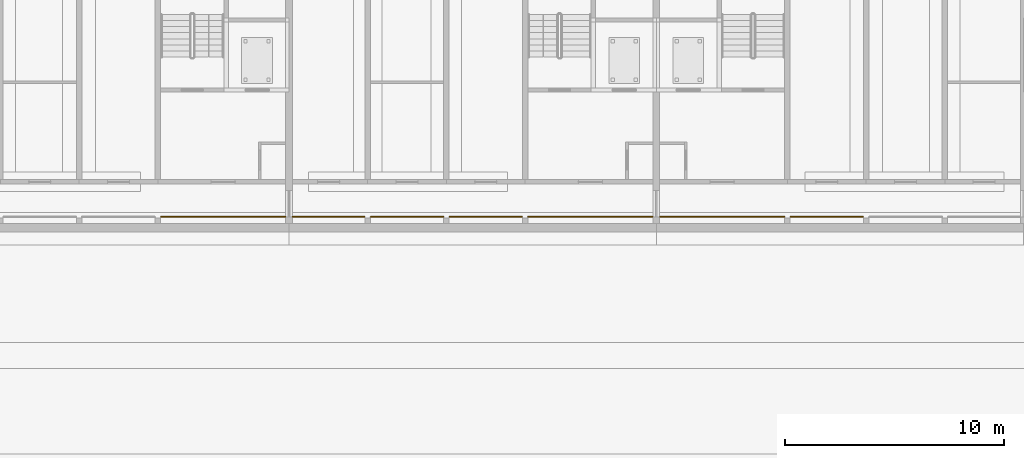
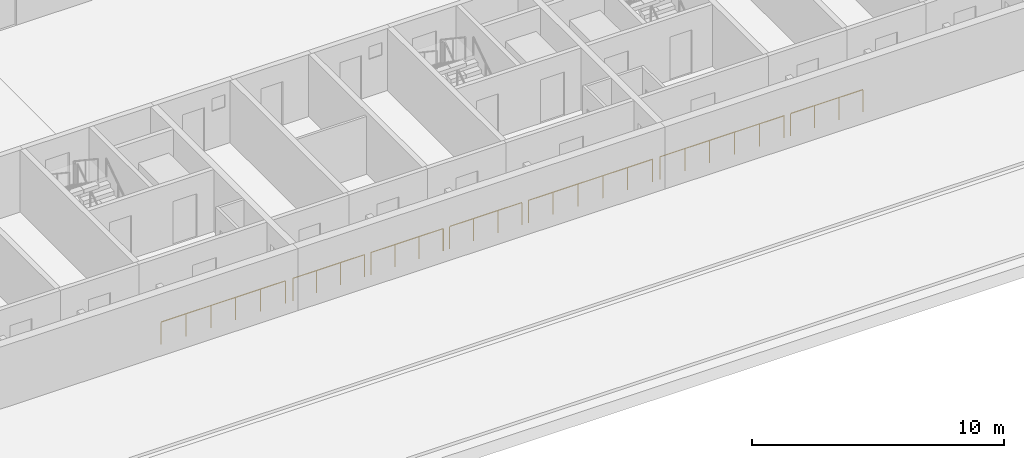
# One storey, part 101 of 112: 7 railings.
"""IFC4 building model written with IfcOpenShell, lengths in metres."""

from ifc_helpers import new_model, si_unit, direction, frame, origin, origin_2d, place, context, subcontext, project, spatial, circle, extrude, material, type_object, element, save


model = new_model("IFC4")

# Units and contexts
model_context = context("Model", 3, precision=1e-05, world=origin(), true_north=direction((0.0, 1.0)))
body_context = subcontext(model_context, "Body", "Model", "MODEL_VIEW")
ifc_project = project(units=[si_unit("LENGTHUNIT", "METRE"), si_unit("AREAUNIT", "SQUARE_METRE"), si_unit("VOLUMEUNIT", "CUBIC_METRE"), si_unit("PLANEANGLEUNIT", "RADIAN"), si_unit("MASSUNIT", "GRAM", prefix="KILO")], contexts=[model_context])

# Site, building, storey
site_placement = place(None, origin())
site = spatial("IfcSite", under=ifc_project, at=site_placement, CompositionType="ELEMENT")
building_placement = place(site_placement, origin())
building = spatial("IfcBuilding", under=site, at=building_placement, Name="Ridgestep Commons", CompositionType="ELEMENT")
storey_placement = place(building_placement, origin())
storey = spatial("IfcBuildingStorey", under=building, at=storey_placement, Name="L00", CompositionType="ELEMENT", Elevation=0.0)

# Railings
ifc_material = material(Name="Structural steel S355JR galvanised", Category="steel")
railing_type = type_object("IfcRailingType", Name="Passage guard 1100", PredefinedType="GUARDRAIL", material=ifc_material)
railing_1_placement = place(storey_placement, frame((191.345947265625, 12.050048828125, 0.0)))
element("IfcRailing", 1, at=railing_1_placement, inside=storey, type_object=railing_type, Name="Passage guard D 00.12", PredefinedType="GUARDRAIL", context=body_context, shape_type="SweptSolid", body=[
    extrude(circle(Radius=0.02392578125, at=origin_2d()), frame((0.0, 0.0, 1.076171875), z_axis=(1.0, 0.0, 0.0), x_axis=(0.0, 1.0, 0.0)), (0.0, 0.0, 1.0), 5.68310546875),
    extrude(circle(Radius=0.02099609375, at=origin_2d()), origin(), (0.0, 0.0, 1.0), 1.052001953125),
    extrude(circle(Radius=0.02099609375, at=origin_2d()), frame((1.13671875, 0.0, 0.0)), (0.0, 0.0, 1.0), 1.052001953125),
    extrude(circle(Radius=0.02099609375, at=origin_2d()), frame((2.273193359375, 0.0, 0.0)), (0.0, 0.0, 1.0), 1.052001953125),
    extrude(circle(Radius=0.02099609375, at=origin_2d()), frame((3.409912109375, 0.0, 0.0)), (0.0, 0.0, 1.0), 1.052001953125),
    extrude(circle(Radius=0.02099609375, at=origin_2d()), frame((4.54638671875, 0.0, 0.0)), (0.0, 0.0, 1.0), 1.052001953125),
    extrude(circle(Radius=0.02099609375, at=origin_2d()), frame((5.68310546875, 0.0, 0.0)), (0.0, 0.0, 1.0), 1.052001953125),
])
railing_2_placement = place(storey_placement, frame((197.37109375, 12.050048828125, 0.0)))
element("IfcRailing", 2, at=railing_2_placement, inside=storey, type_object=railing_type, Name="Passage guard D 00.13", PredefinedType="GUARDRAIL", context=body_context, shape_type="SweptSolid", body=[
    extrude(circle(Radius=0.02392578125, at=origin_2d()), frame((0.0, 0.0, 1.076171875), z_axis=(1.0, 0.0, 0.0), x_axis=(0.0, 1.0, 0.0)), (0.0, 0.0, 1.0), 3.282958984375),
    extrude(circle(Radius=0.02099609375, at=origin_2d()), origin(), (0.0, 0.0, 1.0), 1.052001953125),
    extrude(circle(Radius=0.02099609375, at=origin_2d()), frame((1.09423828125, 0.0, 0.0)), (0.0, 0.0, 1.0), 1.052001953125),
    extrude(circle(Radius=0.02099609375, at=origin_2d()), frame((2.188720703125, 0.0, 0.0)), (0.0, 0.0, 1.0), 1.052001953125),
    extrude(circle(Radius=0.02099609375, at=origin_2d()), frame((3.282958984375, 0.0, 0.0)), (0.0, 0.0, 1.0), 1.052001953125),
])
railing_3_placement = place(storey_placement, frame((200.946044921875, 12.050048828125, 0.0)))
element("IfcRailing", 3, at=railing_3_placement, inside=storey, type_object=railing_type, Name="Passage guard D 00.14", PredefinedType="GUARDRAIL", context=body_context, shape_type="SweptSolid", body=[
    extrude(circle(Radius=0.02392578125, at=origin_2d()), frame((0.0, 0.0, 1.076171875), z_axis=(1.0, 0.0, 0.0), x_axis=(0.0, 1.0, 0.0)), (0.0, 0.0, 1.0), 3.307861328125),
    extrude(circle(Radius=0.02099609375, at=origin_2d()), origin(), (0.0, 0.0, 1.0), 1.052001953125),
    extrude(circle(Radius=0.02099609375, at=origin_2d()), frame((1.1025390625, 0.0, 0.0)), (0.0, 0.0, 1.0), 1.052001953125),
    extrude(circle(Radius=0.02099609375, at=origin_2d()), frame((2.205322265625, 0.0, 0.0)), (0.0, 0.0, 1.0), 1.052001953125),
    extrude(circle(Radius=0.02099609375, at=origin_2d()), frame((3.307861328125, 0.0, 0.0)), (0.0, 0.0, 1.0), 1.052001953125),
])
railing_4_placement = place(storey_placement, frame((204.5458984375, 12.050048828125, 0.0)))
element("IfcRailing", 4, at=railing_4_placement, inside=storey, type_object=railing_type, Name="Passage guard D 00.15", PredefinedType="GUARDRAIL", context=body_context, shape_type="SweptSolid", body=[
    extrude(circle(Radius=0.02392578125, at=origin_2d()), frame((0.0, 0.0, 1.076171875), z_axis=(1.0, 0.0, 0.0), x_axis=(0.0, 1.0, 0.0)), (0.0, 0.0, 1.0), 3.30810546875),
    extrude(circle(Radius=0.02099609375, at=origin_2d()), origin(), (0.0, 0.0, 1.0), 1.052001953125),
    extrude(circle(Radius=0.02099609375, at=origin_2d()), frame((1.102783203125, 0.0, 0.0)), (0.0, 0.0, 1.0), 1.052001953125),
    extrude(circle(Radius=0.02099609375, at=origin_2d()), frame((2.205322265625, 0.0, 0.0)), (0.0, 0.0, 1.0), 1.052001953125),
    extrude(circle(Radius=0.02099609375, at=origin_2d()), frame((3.30810546875, 0.0, 0.0)), (0.0, 0.0, 1.0), 1.052001953125),
])
for number, where, name in (
    (5, (208.14599609375, 12.050048828125, 0.0), "Passage guard D 00.16"),
    (6, (214.1708984375, 12.050048828125, 0.0), "Passage guard D 00.17"),
):
    element("IfcRailing", number, at=place(storey_placement, frame(where)), inside=storey, type_object=railing_type, Name=name, PredefinedType="GUARDRAIL", context=body_context, shape_type="SweptSolid", body=[
        extrude(circle(Radius=0.02392578125, at=origin_2d()), frame((0.0, 0.0, 1.076171875), z_axis=(1.0, 0.0, 0.0), x_axis=(0.0, 1.0, 0.0)), (0.0, 0.0, 1.0), 5.68310546875),
        extrude(circle(Radius=0.02099609375, at=origin_2d()), origin(), (0.0, 0.0, 1.0), 1.052001953125),
        extrude(circle(Radius=0.02099609375, at=origin_2d()), frame((1.13671875, 0.0, 0.0)), (0.0, 0.0, 1.0), 1.052001953125),
        extrude(circle(Radius=0.02099609375, at=origin_2d()), frame((2.273193359375, 0.0, 0.0)), (0.0, 0.0, 1.0), 1.052001953125),
        extrude(circle(Radius=0.02099609375, at=origin_2d()), frame((3.409912109375, 0.0, 0.0)), (0.0, 0.0, 1.0), 1.052001953125),
        extrude(circle(Radius=0.02099609375, at=origin_2d()), frame((4.54638671875, 0.0, 0.0)), (0.0, 0.0, 1.0), 1.052001953125),
        extrude(circle(Radius=0.02099609375, at=origin_2d()), frame((5.68310546875, 0.0, 0.0)), (0.0, 0.0, 1.0), 1.052001953125),
    ])
railing_5_placement = place(storey_placement, frame((220.14599609375, 12.050048828125, 0.0)))
element("IfcRailing", 7, at=railing_5_placement, inside=storey, type_object=railing_type, Name="Passage guard D 00.18", PredefinedType="GUARDRAIL", context=body_context, shape_type="SweptSolid", body=[
    extrude(circle(Radius=0.02392578125, at=origin_2d()), frame((0.0, 0.0, 1.076171875), z_axis=(1.0, 0.0, 0.0), x_axis=(0.0, 1.0, 0.0)), (0.0, 0.0, 1.0), 3.30810546875),
    extrude(circle(Radius=0.02099609375, at=origin_2d()), origin(), (0.0, 0.0, 1.0), 1.052001953125),
    extrude(circle(Radius=0.02099609375, at=origin_2d()), frame((1.102783203125, 0.0, 0.0)), (0.0, 0.0, 1.0), 1.052001953125),
    extrude(circle(Radius=0.02099609375, at=origin_2d()), frame((2.205322265625, 0.0, 0.0)), (0.0, 0.0, 1.0), 1.052001953125),
    extrude(circle(Radius=0.02099609375, at=origin_2d()), frame((3.30810546875, 0.0, 0.0)), (0.0, 0.0, 1.0), 1.052001953125),
])

save(model, "model.ifc")
